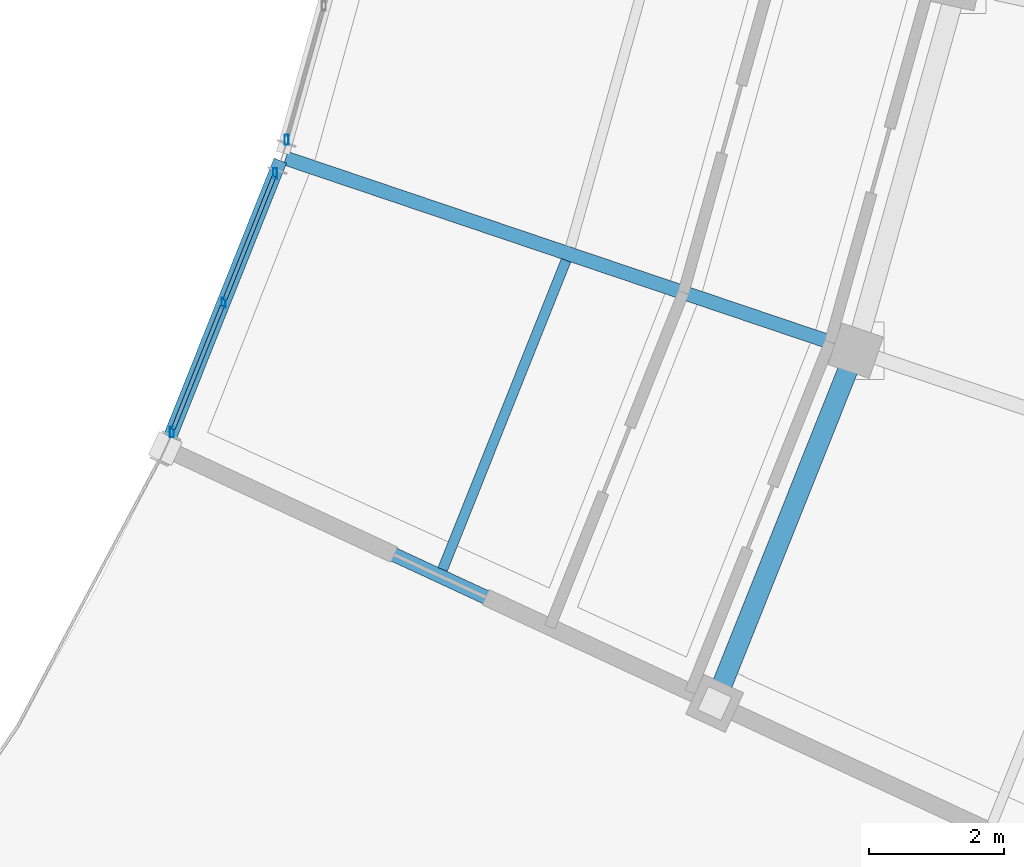
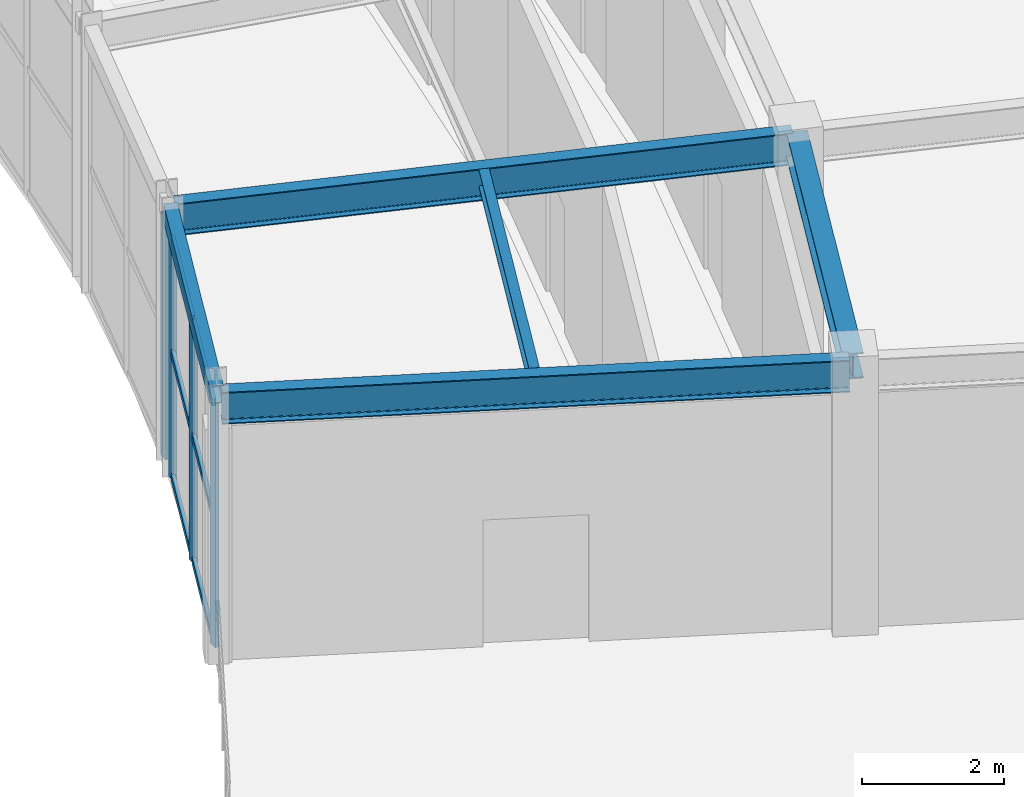
# One storey, part 65 of 108: 10 members, 5 beams, 2 elements without a shape of their own.
"""IFC4 building model written with IfcOpenShell, lengths in metres."""

from ifc_helpers import new_model, si_unit, direction, frame, origin, origin_2d, place, context, subcontext, project, spatial, hollow_rectangle, i_section, extrude, material, material_profile, profile_set, type_object, element, aggregate, save


model = new_model("IFC4")

# Units and contexts
model_context = context("Model", 3, precision=1e-05, world=origin(), true_north=direction((0.0, 1.0)))
body_context = subcontext(model_context, "Body", "Model", "MODEL_VIEW")
ifc_project = project(units=[si_unit("LENGTHUNIT", "METRE"), si_unit("AREAUNIT", "SQUARE_METRE"), si_unit("VOLUMEUNIT", "CUBIC_METRE"), si_unit("PLANEANGLEUNIT", "RADIAN"), si_unit("MASSUNIT", "GRAM", prefix="KILO")], contexts=[model_context])

# Site, building, storey
site_placement = place(None, origin())
site = spatial("IfcSite", under=ifc_project, at=site_placement, CompositionType="ELEMENT")
building_placement = place(site_placement, origin())
building = spatial("IfcBuilding", under=site, at=building_placement, Name="Tarnveldt Headland Concert Hall", CompositionType="ELEMENT")
storey_placement = place(building_placement, frame((0.0, 0.0, 9.60009765625)))
storey = spatial("IfcBuildingStorey", under=building, at=storey_placement, Name="L02", CompositionType="ELEMENT", Elevation=9.60009765625)

# Curtain wall, members
ifc_material_1 = material(Name="Marine-anodised aluminium EN AW-6063-T6", Category="aluminium")
curtain_wall_type = type_object("IfcCurtainWallType", Name="CW-C3", PredefinedType="NOTDEFINED", material=ifc_material_1)
curtain_wall_1_placement = place(storey_placement, origin())
curtain_wall_1 = element("IfcCurtainWall", 1, at=curtain_wall_1_placement, inside=storey, type_object=curtain_wall_type, Name="Curtain wall CW-L02-123", PredefinedType="NOTDEFINED")
ifc_material_profile_1 = material_profile(ifc_material_1, hollow_rectangle(XDim=0.06005859375, YDim=0.14990234375, WallThickness=0.00390625, at=origin_2d()), Name="ALU MULLION 60x150x4", Category="aluminium")
ifc_profile_set_1 = profile_set([ifc_material_profile_1], Name="Marine-anodised aluminium EN AW-6063-T6")
member_type_1 = type_object("IfcMemberType", Name="ML-150", PredefinedType="MULLION", material=ifc_profile_set_1)
member_1_placement = place(storey_placement, frame((156.604736328125, 42.149169921875, 0.0), z_axis=(0.0, 0.0, 1.0), x_axis=(1.0, 0.0, 0.0)))
member_1 = element("IfcMember", 2, at=member_1_placement, type_object=member_type_1, Name="Mullion CW-L02-123-1", PredefinedType="MULLION", context=body_context, shape_type="SweptSolid", body=[
    extrude(hollow_rectangle(XDim=0.06005859375, YDim=0.14990234375, WallThickness=0.00390625, at=origin_2d()), origin(), (0.0, 0.0, 1.0), 4.18994140625),
])
member_2_placement = place(storey_placement, frame((157.372314453125, 44.070068359375, 0.0), z_axis=(0.0, 0.0, 1.0), x_axis=(1.0, 0.0, 0.0)))
member_2 = element("IfcMember", 3, at=member_2_placement, type_object=member_type_1, Name="Mullion CW-L02-123-2", PredefinedType="MULLION", context=body_context, shape_type="SweptSolid", body=[
    extrude(hollow_rectangle(XDim=0.06005859375, YDim=0.14990234375, WallThickness=0.00390625, at=origin_2d()), origin(), (0.0, 0.0, 1.0), 4.18994140625),
])
member_3_placement = place(storey_placement, frame((158.139892578125, 45.9912109375, 0.0), z_axis=(0.0, 0.0, 1.0), x_axis=(1.0, 0.0, 0.0)))
member_3 = element("IfcMember", 4, at=member_3_placement, type_object=member_type_1, Name="Mullion CW-L02-123-3", PredefinedType="MULLION", context=body_context, shape_type="SweptSolid", body=[
    extrude(hollow_rectangle(XDim=0.06005859375, YDim=0.14990234375, WallThickness=0.00390625, at=origin_2d()), origin(), (0.0, 0.0, 1.0), 4.18994140625),
])

# Curtain wall, member
curtain_wall_2_placement = place(storey_placement, origin())
curtain_wall_2 = element("IfcCurtainWall", 5, at=curtain_wall_2_placement, inside=storey, type_object=curtain_wall_type, Name="Curtain wall CW-L02-124", PredefinedType="NOTDEFINED")
member_4_placement = place(storey_placement, frame((158.30908203125, 46.49267578125, 0.0), z_axis=(0.0, 0.0, 1.0), x_axis=(1.0, 0.0, 0.0)))
member_4 = element("IfcMember", 6, at=member_4_placement, type_object=member_type_1, Name="Mullion CW-L02-124-1", PredefinedType="MULLION", context=body_context, shape_type="SweptSolid", body=[
    extrude(hollow_rectangle(XDim=0.06005859375, YDim=0.14990234375, WallThickness=0.00390625, at=origin_2d()), origin(), (0.0, 0.0, 1.0), 4.18994140625),
])
aggregate(curtain_wall_2, [member_4])

# Beams
ifc_material_2 = material(Name="Steel S355", Category="steel")
ifc_material_profile_2 = material_profile(ifc_material_2, i_section(OverallWidth=0.300048828125, OverallDepth=0.43994140625, WebThickness=0.011474609375, FlangeThickness=0.02099609375, FilletRadius=0.027099609375, at=origin_2d()), Name="HEA450", Category="steel")
ifc_profile_set_2 = profile_set([ifc_material_profile_2], Name="Steel S355")
beam_type_1 = type_object("IfcBeamType", Name="SB-HEA450", PredefinedType="BEAM", material=ifc_profile_set_2)
beam_1_placement = place(storey_placement, frame((164.69287109375, 38.1708984375, 4.369873046875), z_axis=(0.370963937019, 0.928647272882, 0.0), x_axis=(-0.928647272882, 0.370963937019, 0.0)))
element("IfcBeam", 7, at=beam_1_placement, inside=storey, type_object=beam_type_1, Name="Framing beam L02-1076", PredefinedType="BEAM", context=body_context, shape_type="SweptSolid", body=[
    extrude(i_section(OverallWidth=0.300048828125, OverallDepth=0.43994140625, WebThickness=0.011474609375, FlangeThickness=0.02099609375, FilletRadius=0.027099609375, at=origin_2d()), origin(), (0.0, 0.0, 1.0), 5.5244140625),
])
ifc_material_profile_3 = material_profile(ifc_material_2, i_section(OverallWidth=0.14990234375, OverallDepth=0.300048828125, WebThickness=0.007080078125, FlangeThickness=0.0107421875, FilletRadius=0.014892578125, at=origin_2d()), Name="IPE300", Category="steel")
ifc_profile_set_3 = profile_set([ifc_material_profile_3], Name="Steel S355")
beam_type_2 = type_object("IfcBeamType", Name="SB-IPE300", PredefinedType="JOIST", material=ifc_profile_set_3)
beam_2_placement = place(storey_placement, frame((160.62744140625, 40.106689453125, 4.43994140625), z_axis=(0.370999157562, 0.928633202663, 0.0), x_axis=(-0.928633202663, 0.370999157562, 0.0)))
element("IfcBeam", 8, at=beam_2_placement, inside=storey, type_object=beam_type_2, Name="Framing beam L02-1078", PredefinedType="JOIST", context=body_context, shape_type="SweptSolid", body=[
    extrude(i_section(OverallWidth=0.14990234375, OverallDepth=0.300048828125, WebThickness=0.007080078125, FlangeThickness=0.0107421875, FilletRadius=0.014892578125, at=origin_2d()), origin(), (0.0, 0.0, 1.0), 4.946044921875),
])
ifc_material_profile_4 = material_profile(ifc_material_2, i_section(OverallWidth=0.2099609375, OverallDepth=0.550048828125, WebThickness=0.010986328125, FlangeThickness=0.01708984375, FilletRadius=0.02392578125, at=origin_2d()), Name="IPE550", Category="steel")
ifc_profile_set_4 = profile_set([ifc_material_profile_4], Name="Steel S355")
beam_type_3 = type_object("IfcBeamType", Name="SB-IPE550", PredefinedType="BEAM", material=ifc_profile_set_4)
beam_3_placement = place(storey_placement, frame((156.560791015625, 41.877685546875, 4.31494140625), z_axis=(0.907136064141, -0.420837452153, 0.0), x_axis=(0.420837452153, 0.907136064141, 0.0)))
element("IfcBeam", 9, at=beam_3_placement, inside=storey, type_object=beam_type_3, Name="Framing beam L02-1073", PredefinedType="BEAM", context=body_context, shape_type="SweptSolid", body=[
    extrude(i_section(OverallWidth=0.2099609375, OverallDepth=0.550048828125, WebThickness=0.010986328125, FlangeThickness=0.01708984375, FilletRadius=0.02392578125, at=origin_2d()), origin(), (0.0, 0.0, 1.0), 8.880126953125),
])
beam_4_placement = place(storey_placement, frame((158.294921875, 46.218017578125, 4.31494140625), z_axis=(0.947399878297, -0.320052293545, 0.0), x_axis=(0.320052293545, 0.947399878297, 0.0)))
element("IfcBeam", 10, at=beam_4_placement, inside=storey, type_object=beam_type_3, Name="Framing beam L02-1080", PredefinedType="BEAM", context=body_context, shape_type="SweptSolid", body=[
    extrude(i_section(OverallWidth=0.2099609375, OverallDepth=0.550048828125, WebThickness=0.010986328125, FlangeThickness=0.01708984375, FilletRadius=0.02392578125, at=origin_2d()), origin(), (0.0, 0.0, 1.0), 8.8798828125),
])
ifc_material_profile_5 = material_profile(ifc_material_2, hollow_rectangle(XDim=0.199951171875, YDim=0.300048828125, WallThickness=0.012451171875, at=origin_2d()), Name="RHS 300x200x12.5", Category="steel")
ifc_profile_set_5 = profile_set([ifc_material_profile_5], Name="Steel S355")
beam_type_4 = type_object("IfcBeamType", Name="SB-RHS300", PredefinedType="SPANDREL", material=ifc_profile_set_5)
beam_5_placement = place(storey_placement, frame((156.52880859375, 41.958740234375, 4.43994140625), z_axis=(0.370983353144, 0.928639516546, 0.0), x_axis=(-0.928639516546, 0.370983353144, 0.0)))
element("IfcBeam", 11, at=beam_5_placement, inside=storey, type_object=beam_type_4, Name="Framing beam L02-1075", PredefinedType="SPANDREL", context=body_context, shape_type="SweptSolid", body=[
    extrude(hollow_rectangle(XDim=0.199951171875, YDim=0.300048828125, WallThickness=0.012451171875, at=origin_2d()), origin(), (0.0, 0.0, 1.0), 4.54736328125),
])

# Member
ifc_material_profile_6 = material_profile(ifc_material_1, hollow_rectangle(XDim=0.06005859375, YDim=0.1201171875, WallThickness=0.00390625, at=origin_2d()), Name="ALU TRANSOM 60x120x4", Category="aluminium")
ifc_profile_set_6 = profile_set([ifc_material_profile_6], Name="Marine-anodised aluminium EN AW-6063-T6")
member_type_2 = type_object("IfcMemberType", Name="TR-110", PredefinedType="MEMBER", material=ifc_profile_set_6)
member_5_placement = place(storey_placement, frame((156.620361328125, 42.18798828125, 0.0498046875), z_axis=(0.371008878758, 0.92862931888, 0.0), x_axis=(-0.92862931888, 0.371008878758, 0.0)))
member_5 = element("IfcMember", 12, at=member_5_placement, type_object=member_type_2, Name="Transom CW-L02-123-1-1", PredefinedType="MEMBER", context=body_context, shape_type="SweptSolid", body=[
    extrude(hollow_rectangle(XDim=0.06005859375, YDim=0.1201171875, WallThickness=0.00390625, at=origin_2d()), origin(), (0.0, 0.0, 1.0), 1.984619140625),
])

member_6_placement = place(storey_placement, frame((156.620361328125, 42.18798828125, 2.1787109375), z_axis=(0.371008878758, 0.92862931888, 0.0), x_axis=(-0.92862931888, 0.371008878758, 0.0)))
member_6 = element("IfcMember", 13, at=member_6_placement, type_object=member_type_2, Name="Transom CW-L02-123-1-2", PredefinedType="MEMBER", context=body_context, shape_type="SweptSolid", body=[
    extrude(hollow_rectangle(XDim=0.06005859375, YDim=0.1201171875, WallThickness=0.00390625, at=origin_2d()), origin(), (0.0, 0.0, 1.0), 1.984619140625),
])

member_7_placement = place(storey_placement, frame((156.620361328125, 42.18798828125, 4.139892578125), z_axis=(0.371008878758, 0.92862931888, 0.0), x_axis=(-0.92862931888, 0.371008878758, 0.0)))
member_7 = element("IfcMember", 14, at=member_7_placement, type_object=member_type_2, Name="Transom CW-L02-123-1-3", PredefinedType="MEMBER", context=body_context, shape_type="SweptSolid", body=[
    extrude(hollow_rectangle(XDim=0.06005859375, YDim=0.1201171875, WallThickness=0.00390625, at=origin_2d()), origin(), (0.0, 0.0, 1.0), 1.984619140625),
])

member_8_placement = place(storey_placement, frame((157.3876953125, 44.109130859375, 0.0498046875), z_axis=(0.37111495253, 0.92858693293, 0.0), x_axis=(-0.92858693293, 0.37111495253, 0.0)))
member_8 = element("IfcMember", 15, at=member_8_placement, type_object=member_type_2, Name="Transom CW-L02-123-2-1", PredefinedType="MEMBER", context=body_context, shape_type="SweptSolid", body=[
    extrude(hollow_rectangle(XDim=0.06005859375, YDim=0.1201171875, WallThickness=0.00390625, at=origin_2d()), origin(), (0.0, 0.0, 1.0), 1.98486328125),
])

member_9_placement = place(storey_placement, frame((157.3876953125, 44.109130859375, 2.1787109375), z_axis=(0.37111495253, 0.92858693293, 0.0), x_axis=(-0.92858693293, 0.37111495253, 0.0)))
member_9 = element("IfcMember", 16, at=member_9_placement, type_object=member_type_2, Name="Transom CW-L02-123-2-2", PredefinedType="MEMBER", context=body_context, shape_type="SweptSolid", body=[
    extrude(hollow_rectangle(XDim=0.06005859375, YDim=0.1201171875, WallThickness=0.00390625, at=origin_2d()), origin(), (0.0, 0.0, 1.0), 1.98486328125),
])

member_10_placement = place(storey_placement, frame((157.3876953125, 44.109130859375, 4.139892578125), z_axis=(0.37111495253, 0.92858693293, 0.0), x_axis=(-0.92858693293, 0.37111495253, 0.0)))
member_10 = element("IfcMember", 17, at=member_10_placement, type_object=member_type_2, Name="Transom CW-L02-123-2-3", PredefinedType="MEMBER", context=body_context, shape_type="SweptSolid", body=[
    extrude(hollow_rectangle(XDim=0.06005859375, YDim=0.1201171875, WallThickness=0.00390625, at=origin_2d()), origin(), (0.0, 0.0, 1.0), 1.98486328125),
])

aggregate(curtain_wall_1, [member_1, member_2, member_3, member_5, member_6, member_7, member_8, member_9, member_10])

save(model, "model.ifc")
